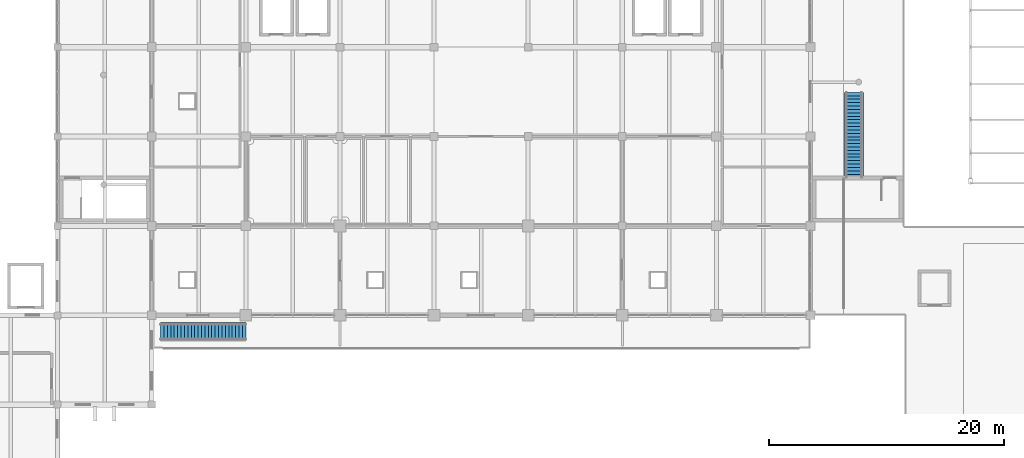
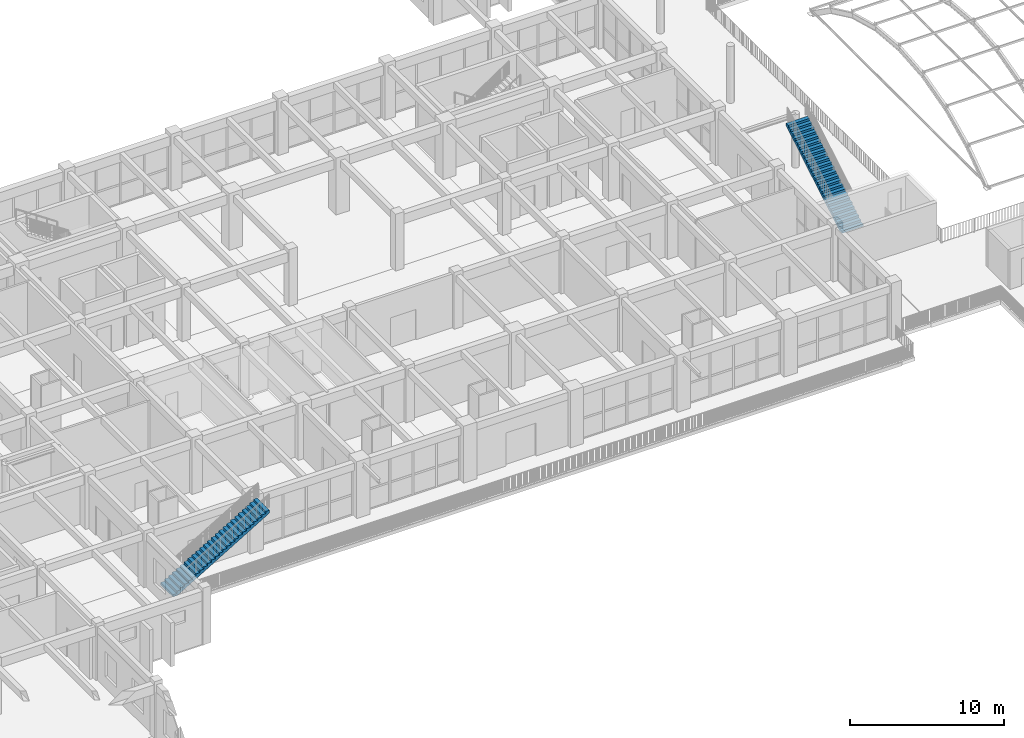
# One storey, part 63 of 79: 2 stair flights, 2 elements without a shape of their own.
"""IFC4 building model written with IfcOpenShell, lengths in metres."""

from ifc_helpers import new_model, si_unit, direction, frame, origin, place, context, subcontext, project, spatial, polyline, outline, extrude, material, type_object, element, aggregate, save


model = new_model("IFC4")

# Units and contexts
model_context = context("Model", 3, precision=1e-05, world=origin(), true_north=direction((0.0, 1.0)))
body_context = subcontext(model_context, "Body", "Model", "MODEL_VIEW")
ifc_project = project(units=[si_unit("LENGTHUNIT", "METRE"), si_unit("AREAUNIT", "SQUARE_METRE"), si_unit("VOLUMEUNIT", "CUBIC_METRE"), si_unit("PLANEANGLEUNIT", "RADIAN"), si_unit("MASSUNIT", "GRAM", prefix="KILO")], contexts=[model_context])

# Site, building, storey
site_placement = place(None, origin())
site = spatial("IfcSite", under=ifc_project, at=site_placement, CompositionType="ELEMENT")
building_placement = place(site_placement, origin())
building = spatial("IfcBuilding", under=site, at=building_placement, Name="Zantavel Square City Hall", CompositionType="ELEMENT")
storey_placement = place(building_placement, frame((0.0, 0.0, 10.199951171875)))
storey = spatial("IfcBuildingStorey", under=building, at=storey_placement, Name="L03", CompositionType="ELEMENT", Elevation=10.199951171875)

# Stair, stair flight
ifc_material = material(Name="Precast concrete C40/50", Category="concrete")
stair_type = type_object("IfcStairType", Name="White Cantera Terrace Stair L03-L04 W1600", PredefinedType="STRAIGHT_RUN_STAIR", material=ifc_material)
stair_1_placement = place(storey_placement, origin())
stair_1 = element("IfcStair", 1, at=stair_1_placement, inside=storey, type_object=stair_type, Name="Outdoor Cantera Tray Terrace Stair ST-TR1", PredefinedType="STRAIGHT_RUN_STAIR")
stair_flight_type = type_object("IfcStairFlightType", Name="White Cantera Terrace Stair Flight L03-L04 W1600", PredefinedType="STRAIGHT", material=ifc_material)
stair_flight_1_placement = place(storey_placement, frame((115.699951171875, 42.10009765625, 0.0), z_axis=(0.0, 0.0, 1.0), x_axis=(0.0, 1.0, 0.0)))
stair_flight_1 = element("IfcStairFlight", 2, at=stair_flight_1_placement, type_object=stair_flight_type, Name="Outdoor Terrace Stair ST-TR1 Flight", NumberOfRisers=26, NumberOfTreads=25, PredefinedType="STRAIGHT", RiserHeight=0.173077, TreadLength=0.29, context=body_context, shape_type="SweptSolid", body=[
    extrude(outline(polyline([(0.0, 0.0), (0.0, 0.173095703125), (0.2900390625, 0.173095703125), (0.2900390625, 0.34619140625), (0.580078125, 0.34619140625), (0.580078125, 0.519287109375), (0.8701171875, 0.519287109375), (0.8701171875, 0.6923828125), (1.159912109375, 0.6923828125), (1.159912109375, 0.865478515625), (1.449951171875, 0.865478515625), (1.449951171875, 1.03857421875), (1.739990234375, 1.03857421875), (1.739990234375, 1.21142578125), (2.030029296875, 1.21142578125), (2.030029296875, 1.384521484375), (2.320068359375, 1.384521484375), (2.320068359375, 1.5576171875), (2.610107421875, 1.5576171875), (2.610107421875, 1.730712890625), (2.89990234375, 1.730712890625), (2.89990234375, 1.90380859375), (3.18994140625, 1.90380859375), (3.18994140625, 2.076904296875), (3.47998046875, 2.076904296875), (3.47998046875, 2.25), (3.77001953125, 2.25), (3.77001953125, 2.423095703125), (4.06005859375, 2.423095703125), (4.06005859375, 2.59619140625), (4.35009765625, 2.59619140625), (4.35009765625, 2.769287109375), (4.639892578125, 2.769287109375), (4.639892578125, 2.9423828125), (4.929931640625, 2.9423828125), (4.929931640625, 3.115478515625), (5.219970703125, 3.115478515625), (5.219970703125, 3.28857421875), (5.510009765625, 3.28857421875), (5.510009765625, 3.46142578125), (5.800048828125, 3.46142578125), (5.800048828125, 3.634521484375), (6.090087890625, 3.634521484375), (6.090087890625, 3.8076171875), (6.3798828125, 3.8076171875), (6.3798828125, 3.980712890625), (6.669921875, 3.980712890625), (6.669921875, 4.15380859375), (6.9599609375, 4.15380859375), (6.9599609375, 4.326904296875), (7.25, 4.326904296875), (7.25, 4.5), (7.25, 4.117431640625), (0.35107421875, 0.0), (0.0, 0.0)])), frame((0.0, 0.800048828125, 0.0), z_axis=(0.0, -1.0, 0.0), x_axis=(1.0, 0.0, 0.0)), (0.0, 0.0, 1.0), 1.60009765625),
])
aggregate(stair_1, [stair_flight_1])

stair_2_placement = place(storey_placement, origin())
stair_2 = element("IfcStair", 3, at=stair_2_placement, inside=storey, type_object=stair_type, Name="Outdoor Cantera Tray Terrace Stair ST-TR4", PredefinedType="STRAIGHT_RUN_STAIR")
stair_flight_2_placement = place(storey_placement, frame((56.75, 29.0, 0.0), z_axis=(0.0, 0.0, 1.0), x_axis=(1.0, 0.0, 0.0)))
stair_flight_2 = element("IfcStairFlight", 4, at=stair_flight_2_placement, type_object=stair_flight_type, Name="Outdoor Terrace Stair ST-TR4 Flight", NumberOfRisers=26, NumberOfTreads=25, PredefinedType="STRAIGHT", RiserHeight=0.173077, TreadLength=0.29, context=body_context, shape_type="SweptSolid", body=[
    extrude(outline(polyline([(0.0, 0.0), (0.0, 0.173095703125), (0.2900390625, 0.173095703125), (0.2900390625, 0.34619140625), (0.580078125, 0.34619140625), (0.580078125, 0.519287109375), (0.8701171875, 0.519287109375), (0.8701171875, 0.6923828125), (1.159912109375, 0.6923828125), (1.159912109375, 0.865478515625), (1.449951171875, 0.865478515625), (1.449951171875, 1.03857421875), (1.739990234375, 1.03857421875), (1.739990234375, 1.21142578125), (2.030029296875, 1.21142578125), (2.030029296875, 1.384521484375), (2.320068359375, 1.384521484375), (2.320068359375, 1.5576171875), (2.610107421875, 1.5576171875), (2.610107421875, 1.730712890625), (2.89990234375, 1.730712890625), (2.89990234375, 1.90380859375), (3.18994140625, 1.90380859375), (3.18994140625, 2.076904296875), (3.47998046875, 2.076904296875), (3.47998046875, 2.25), (3.77001953125, 2.25), (3.77001953125, 2.423095703125), (4.06005859375, 2.423095703125), (4.06005859375, 2.59619140625), (4.35009765625, 2.59619140625), (4.35009765625, 2.769287109375), (4.639892578125, 2.769287109375), (4.639892578125, 2.9423828125), (4.929931640625, 2.9423828125), (4.929931640625, 3.115478515625), (5.219970703125, 3.115478515625), (5.219970703125, 3.28857421875), (5.510009765625, 3.28857421875), (5.510009765625, 3.46142578125), (5.800048828125, 3.46142578125), (5.800048828125, 3.634521484375), (6.090087890625, 3.634521484375), (6.090087890625, 3.8076171875), (6.3798828125, 3.8076171875), (6.3798828125, 3.980712890625), (6.669921875, 3.980712890625), (6.669921875, 4.15380859375), (6.9599609375, 4.15380859375), (6.9599609375, 4.326904296875), (7.25, 4.326904296875), (7.25, 4.5), (7.25, 4.117431640625), (0.35107421875, 0.0), (0.0, 0.0)])), frame((0.0, 0.800048828125, 0.0), z_axis=(0.0, -1.0, 0.0), x_axis=(1.0, 0.0, 0.0)), (0.0, 0.0, 1.0), 1.60009765625),
])
aggregate(stair_2, [stair_flight_2])

save(model, "model.ifc")
